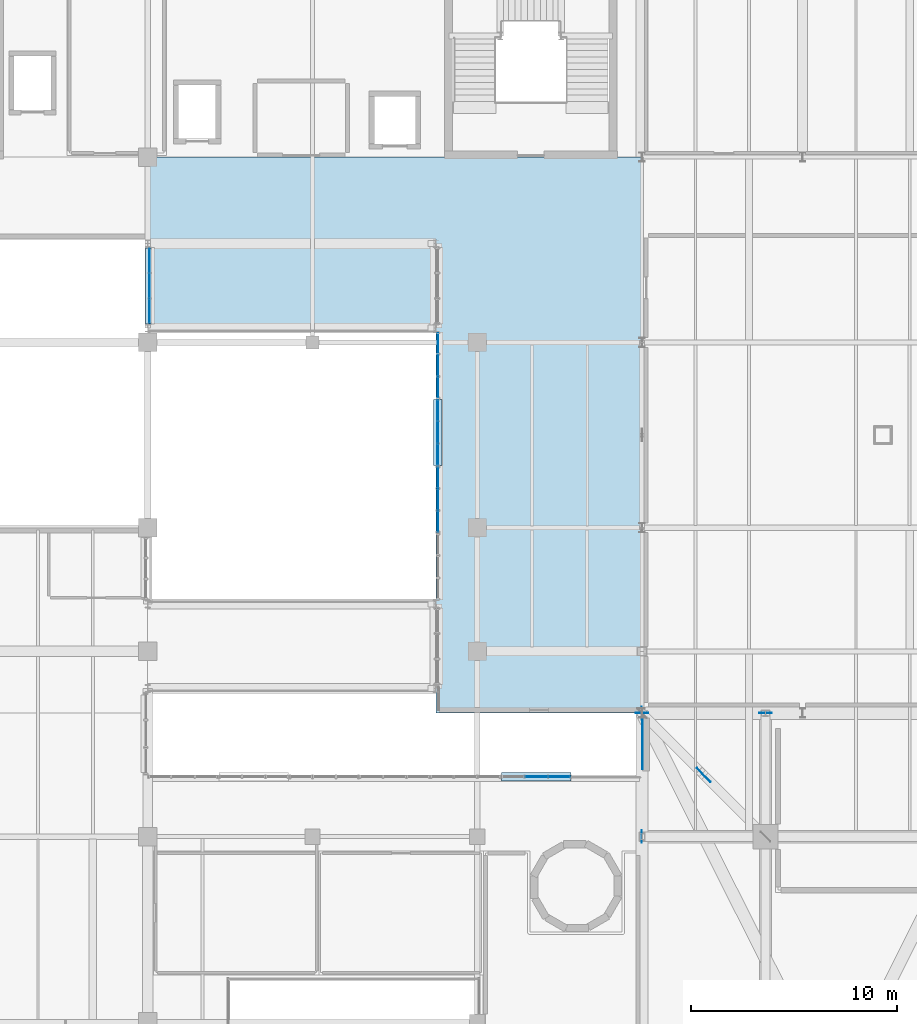
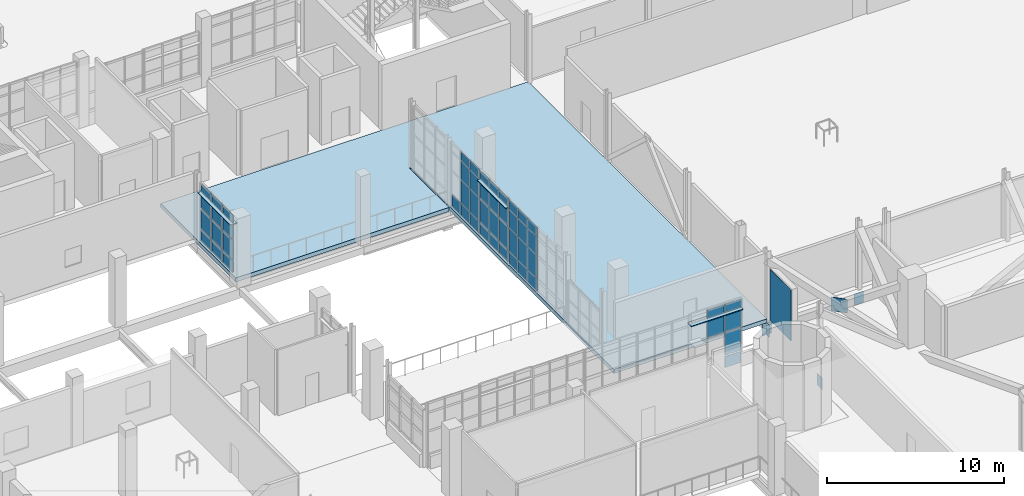
# One storey, part 88 of 127: 60 plates, 1 slab, 5 elements without a shape of their own.
"""IFC4 building model written with IfcOpenShell, lengths in metres."""

from ifc_helpers import new_model, si_unit, derived_unit, direction, frame, origin, origin_2d, place, context, subcontext, project, spatial, polyline, rectangle, outline, extrude, material, layer, layer_set, type_object, element, aggregate, save


model = new_model("IFC4")

# Units and contexts
model_context = context("Model", 3, precision=1e-05, world=origin(), true_north=direction((0.0, 1.0)))
body_context = subcontext(model_context, "Body", "Model", "MODEL_VIEW")
ifc_project = project(units=[si_unit("LENGTHUNIT", "METRE"), si_unit("AREAUNIT", "SQUARE_METRE"), si_unit("VOLUMEUNIT", "CUBIC_METRE"), si_unit("PLANEANGLEUNIT", "RADIAN"), si_unit("MASSUNIT", "GRAM", prefix="KILO"), derived_unit("THERMALTRANSMITTANCEUNIT", [(si_unit("POWERUNIT", "WATT"), 1), (si_unit("LENGTHUNIT", "METRE"), -2), (si_unit("THERMODYNAMICTEMPERATUREUNIT", "KELVIN"), -1)])], contexts=[model_context])

# Site, building, storey
site_placement = place(None, origin())
site = spatial("IfcSite", under=ifc_project, at=site_placement, CompositionType="ELEMENT")
building_placement = place(site_placement, origin())
building = spatial("IfcBuilding", under=site, at=building_placement, Name="Nallur Shell Playhouse", CompositionType="ELEMENT")
storey_placement = place(building_placement, frame((0.0, 0.0, 5.39990234375)))
storey = spatial("IfcBuildingStorey", under=building, at=storey_placement, Name="L02", CompositionType="ELEMENT", Elevation=5.39990234375)

# Plates
ifc_material_1 = material(Name="Steel E350", Category="steel")
ifc_layer_1 = layer(ifc_material_1, 0.02001953125)
ifc_layer_set_1 = layer_set([ifc_layer_1], Name="Steel E350")
plate_type_1 = type_object("IfcPlateType", Name="PT-ENDCAP-20", PredefinedType="SHEET", material=ifc_layer_set_1)
plate_1_placement = place(storey_placement, frame((63.989990234375, 41.0, -1.080078125), z_axis=(0.0, 0.0, 1.0), x_axis=(1.0, 0.0, 0.0)))
element("IfcPlate", 1, at=plate_1_placement, inside=storey, type_object=plate_type_1, Name="Hollow end cap EC-TT-2-BC0", PredefinedType="SHEET", context=body_context, shape_type="SweptSolid", body=[
    extrude(rectangle(XDim=0.02001953125, YDim=0.60009765625, at=origin_2d()), origin(), (0.0, 0.0, 1.0), 0.800048828125),
])
plate_2_placement = place(storey_placement, frame((70.0, 47.010009765625, -1.080078125), z_axis=(0.0, 0.0, 1.0), x_axis=(1.0, 0.0, 0.0)))
element("IfcPlate", 2, at=plate_2_placement, inside=storey, type_object=plate_type_1, Name="Hollow end cap EC-TT-3-BC1", PredefinedType="SHEET", context=body_context, shape_type="SweptSolid", body=[
    extrude(rectangle(XDim=0.60009765625, YDim=0.02001953125, at=origin_2d()), origin(), (0.0, 0.0, 1.0), 0.800048828125),
])
plate_3_placement = place(storey_placement, frame((63.989990234375, 47.0, -1.08984375), z_axis=(0.0, 0.0, 1.0), x_axis=(1.0, 0.0, 0.0)))
element("IfcPlate", 3, at=plate_3_placement, inside=storey, type_object=plate_type_1, Name="Hollow end cap EC-GB-L02-NA", PredefinedType="SHEET", context=body_context, shape_type="SweptSolid", body=[
    extrude(rectangle(XDim=0.02001953125, YDim=0.6201171875, at=origin_2d()), origin(), (0.0, 0.0, 1.0), 0.820068359375),
])
plate_4_placement = place(storey_placement, frame((64.0, 47.010009765625, -1.08984375), z_axis=(0.0, 0.0, 1.0), x_axis=(1.0, 0.0, 0.0)))
element("IfcPlate", 4, at=plate_4_placement, inside=storey, type_object=plate_type_1, Name="Hollow end cap EC-GB-L02-WB", PredefinedType="SHEET", context=body_context, shape_type="SweptSolid", body=[
    extrude(rectangle(XDim=0.6201171875, YDim=0.02001953125, at=origin_2d()), origin(), (0.0, 0.0, 1.0), 0.820068359375),
])

# Curtain wall, plates
ifc_material_2 = material(Name="Anodised Aluminium Double-Glazed Facade System", Category="aluminium")
ifc_layer_2 = layer(ifc_material_2, 0.179931640625)
ifc_layer_set_2 = layer_set([ifc_layer_2], Name="Anodised Aluminium Double-Glazed Facade System")
curtain_wall_type_1 = type_object("IfcCurtainWallType", Name="CW-UNIT-17", PredefinedType="NOTDEFINED", material=ifc_layer_set_2)
curtain_wall_1_placement = place(storey_placement, origin())
curtain_wall_1 = element("IfcCurtainWall", 5, at=curtain_wall_1_placement, inside=storey, type_object=curtain_wall_type_1, Name="Unitised curtain wall CW-017 (L02)", PredefinedType="NOTDEFINED")
ifc_material_3 = material(Name="Solar-Control Low-E Laminated Insulating Glass", Category="glass")
ifc_layer_3 = layer(ifc_material_3, 0.02587890625)
ifc_layer_set_3 = layer_set([ifc_layer_3], Name="Solar-Control Low-E Laminated Insulating Glass")
plate_type_2 = type_object("IfcPlateType", Name="PT-GLZ-01", PredefinedType="CURTAIN_PANEL", material=ifc_layer_set_3)
plate_5_placement = place(storey_placement, frame((54.090087890625, 62.82568359375, 0.05712890625), z_axis=(0.0, 0.0, 1.0), x_axis=(0.0, 1.0, 0.0)))
plate_5 = element("IfcPlate", 6, at=plate_5_placement, type_object=plate_type_2, Name="CW-17 panel 1.1", PredefinedType="CURTAIN_PANEL", context=body_context, shape_type="SweptSolid", body=[
    extrude(rectangle(XDim=0.98046875, YDim=0.02587890625, at=origin_2d()), origin(), (0.0, 0.0, 1.0), 0.818603515625),
])
plate_6_placement = place(storey_placement, frame((54.090087890625, 62.82568359375, 0.924560546875), z_axis=(0.0, 0.0, 1.0), x_axis=(0.0, 1.0, 0.0)))
plate_6 = element("IfcPlate", 7, at=plate_6_placement, type_object=plate_type_2, Name="CW-17 panel 1.2", PredefinedType="CURTAIN_PANEL", context=body_context, shape_type="SweptSolid", body=[
    extrude(rectangle(XDim=0.98046875, YDim=0.02587890625, at=origin_2d()), origin(), (0.0, 0.0, 1.0), 1.58203125),
])
plate_7_placement = place(storey_placement, frame((54.090087890625, 62.82568359375, 2.5556640625), z_axis=(0.0, 0.0, 1.0), x_axis=(0.0, 1.0, 0.0)))
plate_7 = element("IfcPlate", 8, at=plate_7_placement, type_object=plate_type_2, Name="CW-17 panel 1.3", PredefinedType="CURTAIN_PANEL", context=body_context, shape_type="SweptSolid", body=[
    extrude(rectangle(XDim=0.98046875, YDim=0.02587890625, at=origin_2d()), origin(), (0.0, 0.0, 1.0), 1.260009765625),
])
plate_8_placement = place(storey_placement, frame((54.090087890625, 62.82568359375, 3.86474609375), z_axis=(0.0, 0.0, 1.0), x_axis=(0.0, 1.0, 0.0)))
plate_8 = element("IfcPlate", 9, at=plate_8_placement, type_object=plate_type_2, Name="CW-17 panel 1.4", PredefinedType="CURTAIN_PANEL", context=body_context, shape_type="SweptSolid", body=[
    extrude(rectangle(XDim=0.98046875, YDim=0.02587890625, at=origin_2d()), origin(), (0.0, 0.0, 1.0), 0.598388671875),
])
plate_9_placement = place(storey_placement, frame((54.090087890625, 63.89013671875, 0.05712890625), z_axis=(0.0, 0.0, 1.0), x_axis=(0.0, 1.0, 0.0)))
plate_9 = element("IfcPlate", 10, at=plate_9_placement, type_object=plate_type_2, Name="CW-17 panel 2.1", PredefinedType="CURTAIN_PANEL", context=body_context, shape_type="SweptSolid", body=[
    extrude(rectangle(XDim=1.0205078125, YDim=0.02587890625, at=origin_2d()), origin(), (0.0, 0.0, 1.0), 0.818603515625),
])
plate_10_placement = place(storey_placement, frame((54.090087890625, 63.89013671875, 0.924560546875), z_axis=(0.0, 0.0, 1.0), x_axis=(0.0, 1.0, 0.0)))
plate_10 = element("IfcPlate", 11, at=plate_10_placement, type_object=plate_type_2, Name="CW-17 panel 2.2", PredefinedType="CURTAIN_PANEL", context=body_context, shape_type="SweptSolid", body=[
    extrude(rectangle(XDim=1.0205078125, YDim=0.02587890625, at=origin_2d()), origin(), (0.0, 0.0, 1.0), 1.58203125),
])
plate_11_placement = place(storey_placement, frame((54.090087890625, 63.89013671875, 2.5556640625), z_axis=(0.0, 0.0, 1.0), x_axis=(0.0, 1.0, 0.0)))
plate_11 = element("IfcPlate", 12, at=plate_11_placement, type_object=plate_type_2, Name="CW-17 panel 2.3", PredefinedType="CURTAIN_PANEL", context=body_context, shape_type="SweptSolid", body=[
    extrude(rectangle(XDim=1.0205078125, YDim=0.02587890625, at=origin_2d()), origin(), (0.0, 0.0, 1.0), 1.260009765625),
])
plate_12_placement = place(storey_placement, frame((54.090087890625, 63.89013671875, 3.86474609375), z_axis=(0.0, 0.0, 1.0), x_axis=(0.0, 1.0, 0.0)))
plate_12 = element("IfcPlate", 13, at=plate_12_placement, type_object=plate_type_2, Name="CW-17 panel 2.4", PredefinedType="CURTAIN_PANEL", context=body_context, shape_type="SweptSolid", body=[
    extrude(rectangle(XDim=1.0205078125, YDim=0.02587890625, at=origin_2d()), origin(), (0.0, 0.0, 1.0), 0.598388671875),
])
plate_13_placement = place(storey_placement, frame((54.090087890625, 64.954833984375, 0.05712890625), z_axis=(0.0, 0.0, 1.0), x_axis=(0.0, 1.0, 0.0)))
plate_13 = element("IfcPlate", 14, at=plate_13_placement, type_object=plate_type_2, Name="CW-17 panel 3.1", PredefinedType="CURTAIN_PANEL", context=body_context, shape_type="SweptSolid", body=[
    extrude(rectangle(XDim=0.98046875, YDim=0.02587890625, at=origin_2d()), origin(), (0.0, 0.0, 1.0), 0.818603515625),
])
aggregate(curtain_wall_1, [plate_5, plate_6, plate_7, plate_8, plate_9, plate_10, plate_11, plate_12, plate_13])

ifc_layer_4 = layer(ifc_material_2, 0.159912109375)
ifc_layer_set_4 = layer_set([ifc_layer_4], Name="Anodised Aluminium Double-Glazed Facade System")
curtain_wall_type_2 = type_object("IfcCurtainWallType", Name="CW-UNIT-12", PredefinedType="NOTDEFINED", material=ifc_layer_set_4)
curtain_wall_2_placement = place(storey_placement, origin())
curtain_wall_2 = element("IfcCurtainWall", 15, at=curtain_wall_2_placement, inside=storey, type_object=curtain_wall_type_2, Name="Unitised curtain wall CW-012 (L02)", PredefinedType="NOTDEFINED")
ifc_layer_5 = layer(ifc_material_3, 0.031982421875)
ifc_layer_set_5 = layer_set([ifc_layer_5], Name="Solar-Control Low-E Laminated Insulating Glass")
plate_type_3 = type_object("IfcPlateType", Name="PT-GLZ-04", PredefinedType="CURTAIN_PANEL", material=ifc_layer_set_5)
plate_14_placement = place(storey_placement, frame((58.857177734375, 43.909912109375, 2.584228515625), z_axis=(0.0, 0.0, 1.0), x_axis=(1.0, 0.0, 0.0)))
plate_14 = element("IfcPlate", 16, at=plate_14_placement, type_object=plate_type_3, Name="CW-12 panel 2.3", PredefinedType="CURTAIN_PANEL", context=body_context, shape_type="SweptSolid", body=[
    extrude(rectangle(XDim=1.08056640625, YDim=0.031982421875, at=origin_2d()), origin(), (0.0, 0.0, 1.0), 1.23388671875),
])
plate_15_placement = place(storey_placement, frame((58.857177734375, 43.909912109375, 3.902099609375), z_axis=(0.0, 0.0, 1.0), x_axis=(1.0, 0.0, 0.0)))
plate_15 = element("IfcPlate", 17, at=plate_15_placement, type_object=plate_type_3, Name="CW-12 panel 2.4", PredefinedType="CURTAIN_PANEL", context=body_context, shape_type="SweptSolid", body=[
    extrude(rectangle(XDim=1.08056640625, YDim=0.031982421875, at=origin_2d()), origin(), (0.0, 0.0, 1.0), 0.5458984375),
])
plate_16_placement = place(storey_placement, frame((59.977783203125, 43.909912109375, 0.092041015625), z_axis=(0.0, 0.0, 1.0), x_axis=(1.0, 0.0, 0.0)))
plate_16 = element("IfcPlate", 18, at=plate_16_placement, type_object=plate_type_3, Name="CW-12 panel 3.1", PredefinedType="CURTAIN_PANEL", context=body_context, shape_type="SweptSolid", body=[
    extrude(rectangle(XDim=1.04296875, YDim=0.031982421875, at=origin_2d()), origin(), (0.0, 0.0, 1.0), 0.76611328125),
])
plate_17_placement = place(storey_placement, frame((59.977783203125, 43.909912109375, 0.942138671875), z_axis=(0.0, 0.0, 1.0), x_axis=(1.0, 0.0, 0.0)))
plate_17 = element("IfcPlate", 19, at=plate_17_placement, type_object=plate_type_3, Name="CW-12 panel 3.2", PredefinedType="CURTAIN_PANEL", context=body_context, shape_type="SweptSolid", body=[
    extrude(rectangle(XDim=1.04296875, YDim=0.031982421875, at=origin_2d()), origin(), (0.0, 0.0, 1.0), 1.55810546875),
])
plate_18_placement = place(storey_placement, frame((59.977783203125, 43.909912109375, 2.584228515625), z_axis=(0.0, 0.0, 1.0), x_axis=(1.0, 0.0, 0.0)))
plate_18 = element("IfcPlate", 20, at=plate_18_placement, type_object=plate_type_3, Name="CW-12 panel 3.3", PredefinedType="CURTAIN_PANEL", context=body_context, shape_type="SweptSolid", body=[
    extrude(rectangle(XDim=1.04296875, YDim=0.031982421875, at=origin_2d()), origin(), (0.0, 0.0, 1.0), 1.23388671875),
])
plate_19_placement = place(storey_placement, frame((59.977783203125, 43.909912109375, 3.902099609375), z_axis=(0.0, 0.0, 1.0), x_axis=(1.0, 0.0, 0.0)))
plate_19 = element("IfcPlate", 21, at=plate_19_placement, type_object=plate_type_3, Name="CW-12 panel 3.4", PredefinedType="CURTAIN_PANEL", context=body_context, shape_type="SweptSolid", body=[
    extrude(rectangle(XDim=1.04296875, YDim=0.031982421875, at=origin_2d()), origin(), (0.0, 0.0, 1.0), 0.5458984375),
])
aggregate(curtain_wall_2, [plate_14, plate_15, plate_16, plate_17, plate_18, plate_19])

ifc_layer_6 = layer(ifc_material_2, 0.16796875)
ifc_layer_set_6 = layer_set([ifc_layer_6], Name="Anodised Aluminium Double-Glazed Facade System")
curtain_wall_type_3 = type_object("IfcCurtainWallType", Name="CW-UNIT-20", PredefinedType="NOTDEFINED", material=ifc_layer_set_6)
curtain_wall_3_placement = place(storey_placement, origin())
curtain_wall_3 = element("IfcCurtainWall", 22, at=curtain_wall_3_placement, inside=storey, type_object=curtain_wall_type_3, Name="Unitised curtain wall CW-020 (L02)", PredefinedType="NOTDEFINED")
plate_20_placement = place(storey_placement, frame((40.090087890625, 66.525390625, 0.092041015625), z_axis=(0.0, 0.0, 1.0), x_axis=(0.0, 1.0, 0.0)))
plate_20 = element("IfcPlate", 23, at=plate_20_placement, type_object=plate_type_3, Name="CW-20 panel 1.1", PredefinedType="CURTAIN_PANEL", context=body_context, shape_type="SweptSolid", body=[
    extrude(rectangle(XDim=1.140625, YDim=0.031982421875, at=origin_2d()), origin(), (0.0, 0.0, 1.0), 0.76611328125),
])
plate_21_placement = place(storey_placement, frame((40.090087890625, 66.525390625, 0.94189453125), z_axis=(0.0, 0.0, 1.0), x_axis=(0.0, 1.0, 0.0)))
plate_21 = element("IfcPlate", 24, at=plate_21_placement, type_object=plate_type_3, Name="CW-20 panel 1.2", PredefinedType="CURTAIN_PANEL", context=body_context, shape_type="SweptSolid", body=[
    extrude(rectangle(XDim=1.140625, YDim=0.031982421875, at=origin_2d()), origin(), (0.0, 0.0, 1.0), 1.325927734375),
])
plate_22_placement = place(storey_placement, frame((40.090087890625, 66.525390625, 2.35205078125), z_axis=(0.0, 0.0, 1.0), x_axis=(0.0, 1.0, 0.0)))
plate_22 = element("IfcPlate", 25, at=plate_22_placement, type_object=plate_type_3, Name="CW-20 panel 1.3", PredefinedType="CURTAIN_PANEL", context=body_context, shape_type="SweptSolid", body=[
    extrude(rectangle(XDim=1.140625, YDim=0.031982421875, at=origin_2d()), origin(), (0.0, 0.0, 1.0), 1.051025390625),
])
plate_23_placement = place(storey_placement, frame((40.090087890625, 66.525390625, 3.487060546875), z_axis=(0.0, 0.0, 1.0), x_axis=(0.0, 1.0, 0.0)))
plate_23 = element("IfcPlate", 26, at=plate_23_placement, type_object=plate_type_3, Name="CW-20 panel 1.4", PredefinedType="CURTAIN_PANEL", context=body_context, shape_type="SweptSolid", body=[
    extrude(rectangle(XDim=1.140625, YDim=0.031982421875, at=origin_2d()), origin(), (0.0, 0.0, 1.0), 0.5458984375),
])
plate_24_placement = place(storey_placement, frame((40.090087890625, 67.75, 0.092041015625), z_axis=(0.0, 0.0, 1.0), x_axis=(0.0, 1.0, 0.0)))
plate_24 = element("IfcPlate", 27, at=plate_24_placement, type_object=plate_type_3, Name="CW-20 panel 2.1", PredefinedType="CURTAIN_PANEL", context=body_context, shape_type="SweptSolid", body=[
    extrude(rectangle(XDim=1.1806640625, YDim=0.031982421875, at=origin_2d()), origin(), (0.0, 0.0, 1.0), 0.76611328125),
])
plate_25_placement = place(storey_placement, frame((40.090087890625, 67.75, 0.94189453125), z_axis=(0.0, 0.0, 1.0), x_axis=(0.0, 1.0, 0.0)))
plate_25 = element("IfcPlate", 28, at=plate_25_placement, type_object=plate_type_3, Name="CW-20 panel 2.2", PredefinedType="CURTAIN_PANEL", context=body_context, shape_type="SweptSolid", body=[
    extrude(rectangle(XDim=1.1806640625, YDim=0.031982421875, at=origin_2d()), origin(), (0.0, 0.0, 1.0), 1.325927734375),
])
plate_26_placement = place(storey_placement, frame((40.090087890625, 67.75, 2.35205078125), z_axis=(0.0, 0.0, 1.0), x_axis=(0.0, 1.0, 0.0)))
plate_26 = element("IfcPlate", 29, at=plate_26_placement, type_object=plate_type_3, Name="CW-20 panel 2.3", PredefinedType="CURTAIN_PANEL", context=body_context, shape_type="SweptSolid", body=[
    extrude(rectangle(XDim=1.1806640625, YDim=0.031982421875, at=origin_2d()), origin(), (0.0, 0.0, 1.0), 1.051025390625),
])
plate_27_placement = place(storey_placement, frame((40.090087890625, 67.75, 3.487060546875), z_axis=(0.0, 0.0, 1.0), x_axis=(0.0, 1.0, 0.0)))
plate_27 = element("IfcPlate", 30, at=plate_27_placement, type_object=plate_type_3, Name="CW-20 panel 2.4", PredefinedType="CURTAIN_PANEL", context=body_context, shape_type="SweptSolid", body=[
    extrude(rectangle(XDim=1.1806640625, YDim=0.031982421875, at=origin_2d()), origin(), (0.0, 0.0, 1.0), 0.5458984375),
])
plate_28_placement = place(storey_placement, frame((40.090087890625, 68.974609375, 0.092041015625), z_axis=(0.0, 0.0, 1.0), x_axis=(0.0, 1.0, 0.0)))
plate_28 = element("IfcPlate", 31, at=plate_28_placement, type_object=plate_type_3, Name="CW-20 panel 3.1", PredefinedType="CURTAIN_PANEL", context=body_context, shape_type="SweptSolid", body=[
    extrude(rectangle(XDim=1.140625, YDim=0.031982421875, at=origin_2d()), origin(), (0.0, 0.0, 1.0), 0.76611328125),
])
plate_29_placement = place(storey_placement, frame((40.090087890625, 68.974609375, 0.94189453125), z_axis=(0.0, 0.0, 1.0), x_axis=(0.0, 1.0, 0.0)))
plate_29 = element("IfcPlate", 32, at=plate_29_placement, type_object=plate_type_3, Name="CW-20 panel 3.2", PredefinedType="CURTAIN_PANEL", context=body_context, shape_type="SweptSolid", body=[
    extrude(rectangle(XDim=1.140625, YDim=0.031982421875, at=origin_2d()), origin(), (0.0, 0.0, 1.0), 1.325927734375),
])
plate_30_placement = place(storey_placement, frame((40.090087890625, 68.974609375, 2.35205078125), z_axis=(0.0, 0.0, 1.0), x_axis=(0.0, 1.0, 0.0)))
plate_30 = element("IfcPlate", 33, at=plate_30_placement, type_object=plate_type_3, Name="CW-20 panel 3.3", PredefinedType="CURTAIN_PANEL", context=body_context, shape_type="SweptSolid", body=[
    extrude(rectangle(XDim=1.140625, YDim=0.031982421875, at=origin_2d()), origin(), (0.0, 0.0, 1.0), 1.051025390625),
])
plate_31_placement = place(storey_placement, frame((40.090087890625, 68.974609375, 3.487060546875), z_axis=(0.0, 0.0, 1.0), x_axis=(0.0, 1.0, 0.0)))
plate_31 = element("IfcPlate", 34, at=plate_31_placement, type_object=plate_type_3, Name="CW-20 panel 3.4", PredefinedType="CURTAIN_PANEL", context=body_context, shape_type="SweptSolid", body=[
    extrude(rectangle(XDim=1.140625, YDim=0.031982421875, at=origin_2d()), origin(), (0.0, 0.0, 1.0), 0.5458984375),
])
aggregate(curtain_wall_3, [plate_20, plate_21, plate_22, plate_23, plate_24, plate_25, plate_26, plate_27, plate_28, plate_29, plate_30, plate_31])

ifc_layer_7 = layer(ifc_material_2, 0.172119140625)
ifc_layer_set_7 = layer_set([ifc_layer_7], Name="Anodised Aluminium Double-Glazed Facade System")
curtain_wall_type_4 = type_object("IfcCurtainWallType", Name="CW-UNIT-15", PredefinedType="NOTDEFINED", material=ifc_layer_set_7)
curtain_wall_4_placement = place(storey_placement, origin())
curtain_wall_4 = element("IfcCurtainWall", 35, at=curtain_wall_4_placement, inside=storey, type_object=curtain_wall_type_4, Name="Unitised curtain wall CW-015 (L02)", PredefinedType="NOTDEFINED")
ifc_layer_8 = layer(ifc_material_3, 0.0380859375)
ifc_layer_set_8 = layer_set([ifc_layer_8], Name="Solar-Control Low-E Laminated Insulating Glass")
plate_type_4 = type_object("IfcPlateType", Name="PT-GLZ-07", PredefinedType="CURTAIN_PANEL", material=ifc_layer_set_8)
plate_32_placement = place(storey_placement, frame((54.090087890625, 56.306640625, 0.05712890625), z_axis=(0.0, 0.0, 1.0), x_axis=(0.0, 1.0, 0.0)))
plate_32 = element("IfcPlate", 36, at=plate_32_placement, type_object=plate_type_4, Name="CW-15 panel 1.1", PredefinedType="CURTAIN_PANEL", context=body_context, shape_type="SweptSolid", body=[
    extrude(rectangle(XDim=0.986328125, YDim=0.0380859375, at=origin_2d()), origin(), (0.0, 0.0, 1.0), 0.818603515625),
])
plate_33_placement = place(storey_placement, frame((54.090087890625, 56.306640625, 0.924560546875), z_axis=(0.0, 0.0, 1.0), x_axis=(0.0, 1.0, 0.0)))
plate_33 = element("IfcPlate", 37, at=plate_33_placement, type_object=plate_type_4, Name="CW-15 panel 1.2", PredefinedType="CURTAIN_PANEL", context=body_context, shape_type="SweptSolid", body=[
    extrude(rectangle(XDim=0.986328125, YDim=0.0380859375, at=origin_2d()), origin(), (0.0, 0.0, 1.0), 1.56005859375),
])
plate_34_placement = place(storey_placement, frame((54.090087890625, 56.306640625, 2.53369140625), z_axis=(0.0, 0.0, 1.0), x_axis=(0.0, 1.0, 0.0)))
plate_34 = element("IfcPlate", 38, at=plate_34_placement, type_object=plate_type_4, Name="CW-15 panel 1.3", PredefinedType="CURTAIN_PANEL", context=body_context, shape_type="SweptSolid", body=[
    extrude(rectangle(XDim=0.986328125, YDim=0.0380859375, at=origin_2d()), origin(), (0.0, 0.0, 1.0), 1.241943359375),
])
plate_35_placement = place(storey_placement, frame((54.090087890625, 56.306640625, 3.82470703125), z_axis=(0.0, 0.0, 1.0), x_axis=(0.0, 1.0, 0.0)))
plate_35 = element("IfcPlate", 39, at=plate_35_placement, type_object=plate_type_4, Name="CW-15 panel 1.4", PredefinedType="CURTAIN_PANEL", context=body_context, shape_type="SweptSolid", body=[
    extrude(rectangle(XDim=0.986328125, YDim=0.0380859375, at=origin_2d()), origin(), (0.0, 0.0, 1.0), 0.598388671875),
])
plate_36_placement = place(storey_placement, frame((54.090087890625, 57.370849609375, 0.05712890625), z_axis=(0.0, 0.0, 1.0), x_axis=(0.0, 1.0, 0.0)))
plate_36 = element("IfcPlate", 40, at=plate_36_placement, type_object=plate_type_4, Name="CW-15 panel 2.1", PredefinedType="CURTAIN_PANEL", context=body_context, shape_type="SweptSolid", body=[
    extrude(rectangle(XDim=1.02392578125, YDim=0.0380859375, at=origin_2d()), origin(), (0.0, 0.0, 1.0), 0.818603515625),
])
plate_37_placement = place(storey_placement, frame((54.090087890625, 57.370849609375, 0.924560546875), z_axis=(0.0, 0.0, 1.0), x_axis=(0.0, 1.0, 0.0)))
plate_37 = element("IfcPlate", 41, at=plate_37_placement, type_object=plate_type_4, Name="CW-15 panel 2.2", PredefinedType="CURTAIN_PANEL", context=body_context, shape_type="SweptSolid", body=[
    extrude(rectangle(XDim=1.02392578125, YDim=0.0380859375, at=origin_2d()), origin(), (0.0, 0.0, 1.0), 1.56005859375),
])
plate_38_placement = place(storey_placement, frame((54.090087890625, 57.370849609375, 2.53369140625), z_axis=(0.0, 0.0, 1.0), x_axis=(0.0, 1.0, 0.0)))
plate_38 = element("IfcPlate", 42, at=plate_38_placement, type_object=plate_type_4, Name="CW-15 panel 2.3", PredefinedType="CURTAIN_PANEL", context=body_context, shape_type="SweptSolid", body=[
    extrude(rectangle(XDim=1.02392578125, YDim=0.0380859375, at=origin_2d()), origin(), (0.0, 0.0, 1.0), 1.241943359375),
])
plate_39_placement = place(storey_placement, frame((54.090087890625, 57.370849609375, 3.82470703125), z_axis=(0.0, 0.0, 1.0), x_axis=(0.0, 1.0, 0.0)))
plate_39 = element("IfcPlate", 43, at=plate_39_placement, type_object=plate_type_4, Name="CW-15 panel 2.4", PredefinedType="CURTAIN_PANEL", context=body_context, shape_type="SweptSolid", body=[
    extrude(rectangle(XDim=1.02392578125, YDim=0.0380859375, at=origin_2d()), origin(), (0.0, 0.0, 1.0), 0.598388671875),
])
plate_40_placement = place(storey_placement, frame((54.090087890625, 58.434814453125, 0.05712890625), z_axis=(0.0, 0.0, 1.0), x_axis=(0.0, 1.0, 0.0)))
plate_40 = element("IfcPlate", 44, at=plate_40_placement, type_object=plate_type_4, Name="CW-15 panel 3.1", PredefinedType="CURTAIN_PANEL", context=body_context, shape_type="SweptSolid", body=[
    extrude(rectangle(XDim=0.986328125, YDim=0.0380859375, at=origin_2d()), origin(), (0.0, 0.0, 1.0), 0.818603515625),
])
plate_41_placement = place(storey_placement, frame((54.090087890625, 58.434814453125, 0.924560546875), z_axis=(0.0, 0.0, 1.0), x_axis=(0.0, 1.0, 0.0)))
plate_41 = element("IfcPlate", 45, at=plate_41_placement, type_object=plate_type_4, Name="CW-15 panel 3.2", PredefinedType="CURTAIN_PANEL", context=body_context, shape_type="SweptSolid", body=[
    extrude(rectangle(XDim=0.986328125, YDim=0.0380859375, at=origin_2d()), origin(), (0.0, 0.0, 1.0), 1.56005859375),
])
plate_42_placement = place(storey_placement, frame((54.090087890625, 58.434814453125, 2.53369140625), z_axis=(0.0, 0.0, 1.0), x_axis=(0.0, 1.0, 0.0)))
plate_42 = element("IfcPlate", 46, at=plate_42_placement, type_object=plate_type_4, Name="CW-15 panel 3.3", PredefinedType="CURTAIN_PANEL", context=body_context, shape_type="SweptSolid", body=[
    extrude(rectangle(XDim=0.986328125, YDim=0.0380859375, at=origin_2d()), origin(), (0.0, 0.0, 1.0), 1.241943359375),
])
plate_43_placement = place(storey_placement, frame((54.090087890625, 58.434814453125, 3.82470703125), z_axis=(0.0, 0.0, 1.0), x_axis=(0.0, 1.0, 0.0)))
plate_43 = element("IfcPlate", 47, at=plate_43_placement, type_object=plate_type_4, Name="CW-15 panel 3.4", PredefinedType="CURTAIN_PANEL", context=body_context, shape_type="SweptSolid", body=[
    extrude(rectangle(XDim=0.986328125, YDim=0.0380859375, at=origin_2d()), origin(), (0.0, 0.0, 1.0), 0.598388671875),
])
aggregate(curtain_wall_4, [plate_32, plate_33, plate_34, plate_35, plate_36, plate_37, plate_38, plate_39, plate_40, plate_41, plate_42, plate_43])

ifc_layer_9 = layer(ifc_material_2, 0.176025390625)
ifc_layer_set_9 = layer_set([ifc_layer_9], Name="Anodised Aluminium Double-Glazed Facade System")
curtain_wall_type_5 = type_object("IfcCurtainWallType", Name="CW-UNIT-16", PredefinedType="NOTDEFINED", material=ifc_layer_set_9)
curtain_wall_5_placement = place(storey_placement, origin())
curtain_wall_5 = element("IfcCurtainWall", 48, at=curtain_wall_5_placement, inside=storey, type_object=curtain_wall_type_5, Name="Unitised curtain wall CW-016 (L02)", PredefinedType="NOTDEFINED")
ifc_layer_10 = layer(ifc_material_3, 0.0400390625)
ifc_layer_set_10 = layer_set([ifc_layer_10], Name="Solar-Control Low-E Laminated Insulating Glass")
plate_type_5 = type_object("IfcPlateType", Name="PT-GLZ-08", PredefinedType="CURTAIN_PANEL", material=ifc_layer_set_10)
plate_44_placement = place(storey_placement, frame((54.090087890625, 59.562744140625, 0.092041015625), z_axis=(0.0, 0.0, 1.0), x_axis=(0.0, 1.0, 0.0)))
plate_44 = element("IfcPlate", 49, at=plate_44_placement, type_object=plate_type_5, Name="CW-16 panel 1.1", PredefinedType="CURTAIN_PANEL", context=body_context, shape_type="SweptSolid", body=[
    extrude(rectangle(XDim=1.001220703125, YDim=0.0400390625, at=origin_2d()), origin(), (0.0, 0.0, 1.0), 0.76611328125),
])
plate_45_placement = place(storey_placement, frame((54.090087890625, 59.562744140625, 0.942138671875), z_axis=(0.0, 0.0, 1.0), x_axis=(0.0, 1.0, 0.0)))
plate_45 = element("IfcPlate", 50, at=plate_45_placement, type_object=plate_type_5, Name="CW-16 panel 1.2", PredefinedType="CURTAIN_PANEL", context=body_context, shape_type="SweptSolid", body=[
    extrude(rectangle(XDim=1.001220703125, YDim=0.0400390625, at=origin_2d()), origin(), (0.0, 0.0, 1.0), 1.55810546875),
])
plate_46_placement = place(storey_placement, frame((54.090087890625, 59.562744140625, 2.584228515625), z_axis=(0.0, 0.0, 1.0), x_axis=(0.0, 1.0, 0.0)))
plate_46 = element("IfcPlate", 51, at=plate_46_placement, type_object=plate_type_5, Name="CW-16 panel 1.3", PredefinedType="CURTAIN_PANEL", context=body_context, shape_type="SweptSolid", body=[
    extrude(rectangle(XDim=1.001220703125, YDim=0.0400390625, at=origin_2d()), origin(), (0.0, 0.0, 1.0), 1.23388671875),
])
plate_47_placement = place(storey_placement, frame((54.090087890625, 59.562744140625, 3.902099609375), z_axis=(0.0, 0.0, 1.0), x_axis=(0.0, 1.0, 0.0)))
plate_47 = element("IfcPlate", 52, at=plate_47_placement, type_object=plate_type_5, Name="CW-16 panel 1.4", PredefinedType="CURTAIN_PANEL", context=body_context, shape_type="SweptSolid", body=[
    extrude(rectangle(XDim=1.001220703125, YDim=0.0400390625, at=origin_2d()), origin(), (0.0, 0.0, 1.0), 0.5458984375),
])
plate_48_placement = place(storey_placement, frame((54.090087890625, 60.629150390625, 0.092041015625), z_axis=(0.0, 0.0, 1.0), x_axis=(0.0, 1.0, 0.0)))
plate_48 = element("IfcPlate", 53, at=plate_48_placement, type_object=plate_type_5, Name="CW-16 panel 2.1", PredefinedType="CURTAIN_PANEL", context=body_context, shape_type="SweptSolid", body=[
    extrude(rectangle(XDim=1.033935546875, YDim=0.0400390625, at=origin_2d()), origin(), (0.0, 0.0, 1.0), 0.76611328125),
])
plate_49_placement = place(storey_placement, frame((54.090087890625, 60.629150390625, 0.942138671875), z_axis=(0.0, 0.0, 1.0), x_axis=(0.0, 1.0, 0.0)))
plate_49 = element("IfcPlate", 54, at=plate_49_placement, type_object=plate_type_5, Name="CW-16 panel 2.2", PredefinedType="CURTAIN_PANEL", context=body_context, shape_type="SweptSolid", body=[
    extrude(rectangle(XDim=1.033935546875, YDim=0.0400390625, at=origin_2d()), origin(), (0.0, 0.0, 1.0), 1.55810546875),
])
plate_50_placement = place(storey_placement, frame((54.090087890625, 60.629150390625, 2.584228515625), z_axis=(0.0, 0.0, 1.0), x_axis=(0.0, 1.0, 0.0)))
plate_50 = element("IfcPlate", 55, at=plate_50_placement, type_object=plate_type_5, Name="CW-16 panel 2.3", PredefinedType="CURTAIN_PANEL", context=body_context, shape_type="SweptSolid", body=[
    extrude(rectangle(XDim=1.033935546875, YDim=0.0400390625, at=origin_2d()), origin(), (0.0, 0.0, 1.0), 1.23388671875),
])
plate_51_placement = place(storey_placement, frame((54.090087890625, 60.629150390625, 3.902099609375), z_axis=(0.0, 0.0, 1.0), x_axis=(0.0, 1.0, 0.0)))
plate_51 = element("IfcPlate", 56, at=plate_51_placement, type_object=plate_type_5, Name="CW-16 panel 2.4", PredefinedType="CURTAIN_PANEL", context=body_context, shape_type="SweptSolid", body=[
    extrude(rectangle(XDim=1.033935546875, YDim=0.0400390625, at=origin_2d()), origin(), (0.0, 0.0, 1.0), 0.5458984375),
])
plate_52_placement = place(storey_placement, frame((54.090087890625, 61.69580078125, 0.092041015625), z_axis=(0.0, 0.0, 1.0), x_axis=(0.0, 1.0, 0.0)))
plate_52 = element("IfcPlate", 57, at=plate_52_placement, type_object=plate_type_5, Name="CW-16 panel 3.1", PredefinedType="CURTAIN_PANEL", context=body_context, shape_type="SweptSolid", body=[
    extrude(rectangle(XDim=1.001220703125, YDim=0.0400390625, at=origin_2d()), origin(), (0.0, 0.0, 1.0), 0.76611328125),
])
plate_53_placement = place(storey_placement, frame((54.090087890625, 61.69580078125, 0.942138671875), z_axis=(0.0, 0.0, 1.0), x_axis=(0.0, 1.0, 0.0)))
plate_53 = element("IfcPlate", 58, at=plate_53_placement, type_object=plate_type_5, Name="CW-16 panel 3.2", PredefinedType="CURTAIN_PANEL", context=body_context, shape_type="SweptSolid", body=[
    extrude(rectangle(XDim=1.001220703125, YDim=0.0400390625, at=origin_2d()), origin(), (0.0, 0.0, 1.0), 1.55810546875),
])
plate_54_placement = place(storey_placement, frame((54.090087890625, 61.69580078125, 2.584228515625), z_axis=(0.0, 0.0, 1.0), x_axis=(0.0, 1.0, 0.0)))
plate_54 = element("IfcPlate", 59, at=plate_54_placement, type_object=plate_type_5, Name="CW-16 panel 3.3", PredefinedType="CURTAIN_PANEL", context=body_context, shape_type="SweptSolid", body=[
    extrude(rectangle(XDim=1.001220703125, YDim=0.0400390625, at=origin_2d()), origin(), (0.0, 0.0, 1.0), 1.23388671875),
])
plate_55_placement = place(storey_placement, frame((54.090087890625, 61.69580078125, 3.902099609375), z_axis=(0.0, 0.0, 1.0), x_axis=(0.0, 1.0, 0.0)))
plate_55 = element("IfcPlate", 60, at=plate_55_placement, type_object=plate_type_5, Name="CW-16 panel 3.4", PredefinedType="CURTAIN_PANEL", context=body_context, shape_type="SweptSolid", body=[
    extrude(rectangle(XDim=1.001220703125, YDim=0.0400390625, at=origin_2d()), origin(), (0.0, 0.0, 1.0), 0.5458984375),
])
aggregate(curtain_wall_5, [plate_44, plate_45, plate_46, plate_47, plate_48, plate_49, plate_50, plate_51, plate_52, plate_53, plate_54, plate_55])

# Plates
ifc_material_4 = material(Name="Gold-Anodised Perforated Aluminium Acoustic Cladding", Category="aluminium")
ifc_layer_11 = layer(ifc_material_4, 0.006103515625)
ifc_layer_set_11 = layer_set([ifc_layer_11], Name="Gold-Anodised Perforated Aluminium Acoustic Cladding")
plate_type_6 = type_object("IfcPlateType", Name="PT-GOLD-01", PredefinedType="SHEET", material=ifc_layer_set_11)
plate_56_placement = place(storey_placement, frame((64.02197265625, 45.47607421875, 0.10009765625), z_axis=(0.0, 0.0, 1.0), x_axis=(0.0, 1.0, 0.0)))
element("IfcPlate", 61, at=plate_56_placement, inside=storey, type_object=plate_type_6, Name="Gold-anodised perforated aluminium cladding GC-001", PredefinedType="SHEET", context=body_context, shape_type="SweptSolid", body=[
    extrude(rectangle(XDim=2.382080078125, YDim=0.013916015625, at=origin_2d()), origin(), (0.0, 0.0, 1.0), 3.52490234375),
])
ifc_layer_12 = layer(ifc_material_1, 0.034912109375)
ifc_layer_set_12 = layer_set([ifc_layer_12], Name="Steel E350")
plate_type_7 = type_object("IfcPlateType", Name="PT-GUSSET-35", PredefinedType="USERDEFINED", material=ifc_layer_set_12)
plate_57_placement = place(storey_placement, frame((67.0, 44.0, 1.2548828125), z_axis=(0.0, 0.0, 1.0), x_axis=(-0.707106781187, 0.707106781187, 0.0)))
element("IfcPlate", 62, at=plate_57_placement, inside=storey, type_object=plate_type_7, Name="Corner transfer TTC-NW X-brace crossing gusset node plate", ObjectType="GUSSET PLATE", PredefinedType="USERDEFINED", context=body_context, shape_type="SweptSolid", body=[
    extrude(rectangle(XDim=0.949951171875, YDim=0.034912109375, at=origin_2d()), origin(), (0.0, 0.0, 1.0), 0.949951171875),
])
ifc_material_5 = material(Name="Terracotta & Gold-Anodised Monsoon Sunshade Blade", Category="masonry")
ifc_layer_13 = layer(ifc_material_5, 0.044921875)
ifc_layer_set_13 = layer_set([ifc_layer_13], Name="Terracotta & Gold-Anodised Monsoon Sunshade Blade")
plate_type_8 = type_object("IfcPlateType", Name="PT-LOUVRE-01", PredefinedType="USERDEFINED", material=ifc_layer_set_13)
plate_58_placement = place(storey_placement, frame((40.090087890625, 67.75, 3.422607421875), z_axis=(0.0, 0.0, 1.0), x_axis=(0.0, 1.0, 0.0)))
element("IfcPlate", 63, at=plate_58_placement, inside=storey, type_object=plate_type_8, Name="Monsoon sunshade louvre blade LV-005", ObjectType="SUNSHADE LOUVRE", PredefinedType="USERDEFINED", context=body_context, shape_type="SweptSolid", body=[
    extrude(rectangle(XDim=3.694091796875, YDim=0.419921875, at=origin_2d()), origin(), (0.0, 0.0, 1.0), 0.044921875),
])
ifc_layer_14 = layer(ifc_material_5, 0.054931640625)
ifc_layer_set_14 = layer_set([ifc_layer_14], Name="Terracotta & Gold-Anodised Monsoon Sunshade Blade")
plate_type_9 = type_object("IfcPlateType", Name="PT-LOUVRE-03", PredefinedType="USERDEFINED", material=ifc_layer_set_14)
plate_59_placement = place(storey_placement, frame((58.857177734375, 43.909912109375, 3.83251953125), z_axis=(0.0, 0.0, 1.0), x_axis=(1.0, 0.0, 0.0)))
element("IfcPlate", 64, at=plate_59_placement, inside=storey, type_object=plate_type_9, Name="Monsoon sunshade louvre blade LV-003", ObjectType="SUNSHADE LOUVRE", PredefinedType="USERDEFINED", context=body_context, shape_type="SweptSolid", body=[
    extrude(rectangle(XDim=3.37890625, YDim=0.419921875, at=origin_2d()), origin(), (0.0, 0.0, 1.0), 0.054931640625),
])
ifc_layer_15 = layer(ifc_material_5, 0.06005859375)
ifc_layer_set_15 = layer_set([ifc_layer_15], Name="Terracotta & Gold-Anodised Monsoon Sunshade Blade")
plate_type_10 = type_object("IfcPlateType", Name="PT-LOUVRE-04", PredefinedType="USERDEFINED", material=ifc_layer_set_15)
plate_60_placement = place(storey_placement, frame((54.090087890625, 60.629150390625, 3.830078125), z_axis=(0.0, 0.0, 1.0), x_axis=(0.0, 1.0, 0.0)))
element("IfcPlate", 65, at=plate_60_placement, inside=storey, type_object=plate_type_10, Name="Monsoon sunshade louvre blade LV-004", ObjectType="SUNSHADE LOUVRE", PredefinedType="USERDEFINED", context=body_context, shape_type="SweptSolid", body=[
    extrude(rectangle(XDim=3.2080078125, YDim=0.419921875, at=origin_2d()), origin(), (0.0, 0.0, 1.0), 0.06005859375),
])

# Slab
ifc_material_6 = material(Name="Concrete M40", Category="concrete")
ifc_layer_16 = layer(ifc_material_6, 0.280029296875)
ifc_layer_set_16 = layer_set([ifc_layer_16], Name="Concrete M40")
slab_type = type_object("IfcSlabType", Name="SL-TRANS-280", PredefinedType="FLOOR", material=ifc_layer_set_16)
slab_placement = place(storey_placement, frame((0.0, 0.0, -0.27978515625)))
element("IfcSlab", 66, at=slab_placement, inside=storey, type_object=slab_type, Name="L02 structural floor slab panel 09", PredefinedType="FLOOR", context=body_context, shape_type="SweptSolid", body=[
    extrude(outline(polyline([(54.0, 47.0), (54.0, 70.0), (53.925048828125, 70.0), (53.925048828125, 65.5), (40.0, 65.5), (40.0, 70.0), (40.0, 74.0), (64.0, 74.0), (64.0, 47.0), (54.0, 47.0)])), origin(), (0.0, 0.0, 1.0), 0.27978515625),
])

save(model, "model.ifc")
